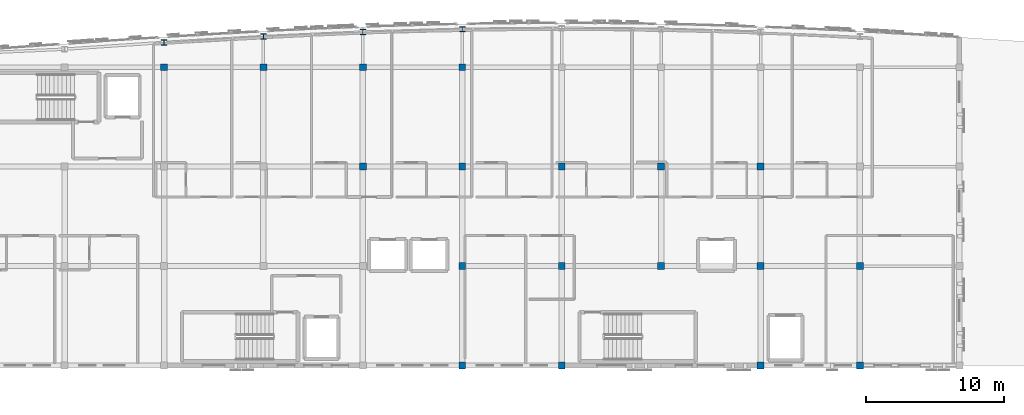
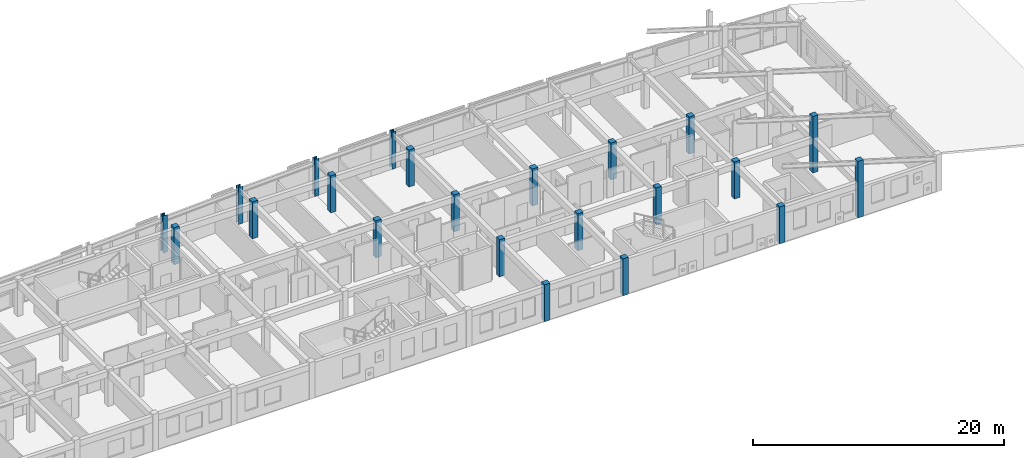
# One storey, part 2 of 34: 22 columns.
"""IFC4 building model written with IfcOpenShell, lengths in metres."""

import ifcopenshell
import ifcopenshell.guid

model = None  # the IFC model being written
_history = None  # IfcOwnerHistory: only IFC2X3 demands one
_inside = {}  # id of a spatial element -> (the spatial element, [elements in it])
_under = {}  # id of a project, library or spatial element -> (it, [spatial elements below it])
_declared = {}  # id of a project -> (the project, [libraries it declares])
_typed = {}  # id of a type object -> (the type object, [elements of that type])
_made_of = {}  # id of a material, layer set ... -> (it, [elements and type objects made of it])


def new_model(schema):
    """Start an empty IFC model of exactly this schema.

    Asked for "IFC4X3", IfcOpenShell would pick the latest addendum, in which some entities
    have other attributes; the version numbers below select the first issue.
    IFC2X3 requires an IfcOwnerHistory on every rooted entity: one is made here for all.
    """
    global model, _history
    if schema == "IFC4X3":
        model = ifcopenshell.file(schema_version=(4, 3, 0, 0))
    else:
        model = ifcopenshell.file(schema=schema)
    _inside.clear()
    _under.clear()
    _declared.clear()
    _typed.clear()
    _made_of.clear()
    _history = None
    if model.schema == "IFC2X3":
        org = make("IfcOrganization", Name="unknown")
        user = make(
            "IfcPersonAndOrganization",
            ThePerson=make("IfcPerson", FamilyName="unknown"),
            TheOrganization=org,
        )
        app = make(
            "IfcApplication",
            ApplicationDeveloper=org,
            Version="unknown",
            ApplicationFullName="unknown",
            ApplicationIdentifier="unknown",
        )
        _history = make(
            "IfcOwnerHistory",
            OwningUser=user,
            OwningApplication=app,
            ChangeAction="ADDED",
            CreationDate=0,
        )
    return model


def make(cls, **values):
    """One entity of the class cls with the attributes given. An attribute that is None is left unset."""
    return model.create_entity(
        cls, **{name: value for name, value in values.items() if value is not None}
    )


def rooted(cls, **values):
    """An entity with a GlobalId (a new one), such as an element, a storey or a relation."""
    return make(cls, GlobalId=ifcopenshell.guid.new(), OwnerHistory=_history, **values)


def si_unit(unit_type, name, prefix=None):
    """IfcSIUnit, for example si_unit("LENGTHUNIT", "METRE", prefix="MILLI")."""
    return make("IfcSIUnit", UnitType=unit_type, Prefix=prefix, Name=name)


def assignment(units):
    """IfcUnitAssignment: the units of a project."""
    return None if units is None else make("IfcUnitAssignment", Units=units)


def point(xyz):
    """IfcCartesianPoint."""
    return None if xyz is None else make("IfcCartesianPoint", Coordinates=xyz)


def direction(xyz):
    """IfcDirection."""
    return None if xyz is None else make("IfcDirection", DirectionRatios=xyz)


def frame(location, z_axis=None, x_axis=None):
    """IfcAxis2Placement3D, a coordinate frame: its origin and axes. An axis left out is left unset."""
    return make(
        "IfcAxis2Placement3D",
        Location=point(location),
        Axis=direction(z_axis),
        RefDirection=direction(x_axis),
    )


def frame_2d(location, x_axis=None):
    """IfcAxis2Placement2D, a coordinate frame in the plane: its origin and x axis."""
    return make(
        "IfcAxis2Placement2D", Location=point(location), RefDirection=direction(x_axis)
    )


def origin():
    """The frame at (0, 0, 0) with its axes left unset."""
    return frame((0.0, 0.0, 0.0))


def origin_2d():
    """The frame at (0, 0) in the plane with its x axis left unset."""
    return frame_2d((0.0, 0.0))


def place(relative_to, where):
    """IfcLocalPlacement: puts the frame where relative to a parent placement (None: the world)."""
    return make(
        "IfcLocalPlacement", PlacementRelTo=relative_to, RelativePlacement=where
    )


def context(
    kind, dimensions, precision=None, world=None, true_north=None, identifier=None
):
    """IfcGeometricRepresentationContext, for example the 3D "Model" context."""
    return make(
        "IfcGeometricRepresentationContext",
        ContextIdentifier=identifier,
        ContextType=kind,
        CoordinateSpaceDimension=dimensions,
        Precision=precision,
        WorldCoordinateSystem=world,
        TrueNorth=true_north,
    )


def subcontext(parent, identifier, kind, view, scale=None):
    """IfcGeometricRepresentationSubContext, for example "Body" below "Model"."""
    return make(
        "IfcGeometricRepresentationSubContext",
        ContextIdentifier=identifier,
        ContextType=kind,
        ParentContext=parent,
        TargetScale=scale,
        TargetView=view,
    )


def project(units=None, contexts=None):
    """IfcProject with its units and contexts."""
    return rooted(
        "IfcProject",
        Name="project",
        RepresentationContexts=contexts,
        UnitsInContext=assignment(units),
    )


def spatial(cls, under=None, at=None, **own):
    """A site, building, storey or space (cls), placed at a placement, below another one or the project."""
    s = rooted(cls, ObjectPlacement=at, **own)
    if under is not None:
        _under.setdefault(under.id(), (under, []))[1].append(s)
    return s


def profile(cls, at=None, kind="AREA", **sizes):
    """A parametric profile (cls). Its sizes go by their IFC names, for example OverallWidth=200.0."""
    return make(cls, ProfileType=kind, Position=at, **sizes)


def rectangle(**sizes):
    """IfcRectangleProfileDef."""
    return profile("IfcRectangleProfileDef", **sizes)


def i_section(**sizes):
    """IfcIShapeProfileDef."""
    return profile("IfcIShapeProfileDef", **sizes)


def extrude(swept, where, along, depth):
    """IfcExtrudedAreaSolid: the profile swept, set in the frame where, extruded along a direction by depth."""
    return make(
        "IfcExtrudedAreaSolid",
        SweptArea=swept,
        Position=where,
        ExtrudedDirection=direction(along),
        Depth=depth,
    )


def shape(context_of_items, identifier, shape_type, items):
    """IfcShapeRepresentation: the items that make up one representation, for example the "Body"."""
    return make(
        "IfcShapeRepresentation",
        ContextOfItems=context_of_items,
        RepresentationIdentifier=identifier,
        RepresentationType=shape_type,
        Items=items,
    )


def material(Name=None, Category=None):
    """IfcMaterial."""
    return make("IfcMaterial", Name=Name, Category=Category)


def material_profile(
    of_material, cross_section, Name=None, Category=None, Priority=None
):
    """IfcMaterialProfile: a cross section and its material."""
    return make(
        "IfcMaterialProfile",
        Name=Name,
        Material=of_material,
        Profile=cross_section,
        Priority=Priority,
        Category=Category,
    )


def profile_set(profiles, Name=None, composite=None):
    """IfcMaterialProfileSet."""
    return make(
        "IfcMaterialProfileSet",
        Name=Name,
        MaterialProfiles=profiles,
        CompositeProfile=composite,
    )


def made_of(thing, what):
    """Note that an element or type object is made of a material, layer set ...; save() writes the relation."""
    if what is not None:
        _made_of.setdefault(what.id(), (what, []))[1].append(thing)
    return thing


def type_object(cls, material=None, **own):
    """A type object (cls), such as IfcWallType, which elements share."""
    return made_of(rooted(cls, **own), material)


def element(
    cls,
    number,
    at=None,
    inside=None,
    cuts=None,
    type_object=None,
    material=None,
    context=None,
    identifier="Body",
    shape_type=None,
    held_by="IfcProductDefinitionShape",
    body=None,
    shapes=None,
    **own,
):
    """One element of the class cls, such as IfcWall. Its Tag is "e" and its number.

    at: its placement. inside: the storey or other place that contains it. cuts: it is an
    opening in that element (IfcRelVoidsElement). A single representation is given by context,
    identifier, shape_type and body (its items); several are given by shapes. held_by: the class
    of the entity that holds the representations. save() writes the other relations.
    """
    e = rooted(cls, Tag="e%d" % number, ObjectPlacement=at, **own)
    if body is not None:
        shapes = [shape(context, identifier, shape_type, body)]
    if shapes is not None:
        e.Representation = make(held_by, Representations=shapes)
    if inside is not None:
        _inside.setdefault(inside.id(), (inside, []))[1].append(e)
    if cuts is not None:
        rooted(
            "IfcRelVoidsElement", RelatingBuildingElement=cuts, RelatedOpeningElement=e
        )
    if type_object is not None:
        _typed.setdefault(type_object.id(), (type_object, []))[1].append(e)
    return made_of(e, material)


def aggregate(whole, parts):
    """IfcRelAggregates: a whole, such as a stair, and the parts it consists of."""
    return rooted("IfcRelAggregates", RelatingObject=whole, RelatedObjects=parts)


def save(model, path):
    """Write the relations noted so far, then the file.

    IfcRelAggregates (storeys below a building ...), IfcRelContainedInSpatialStructure (elements
    in a storey), IfcRelDefinesByType, IfcRelAssociatesMaterial and IfcRelDeclares: one each for
    every whole, place, type object, material and project.
    """
    for whole, parts in _under.values():
        aggregate(whole, parts)
    for where, things in _inside.values():
        rooted(
            "IfcRelContainedInSpatialStructure",
            RelatedElements=things,
            RelatingStructure=where,
        )
    for kind, things in _typed.values():
        rooted("IfcRelDefinesByType", RelatedObjects=things, RelatingType=kind)
    for what, things in _made_of.values():
        rooted("IfcRelAssociatesMaterial", RelatedObjects=things, RelatingMaterial=what)
    for by, libraries in _declared.values():
        rooted("IfcRelDeclares", RelatingContext=by, RelatedDefinitions=libraries)
    model.write(path)


model = new_model("IFC4")

# Units and contexts
model_context = context("Model", 3, precision=1e-05, world=origin(), true_north=direction((0.0, 1.0)))
body_context = subcontext(model_context, "Body", "Model", "MODEL_VIEW")
ifc_project = project(units=[si_unit("LENGTHUNIT", "METRE"), si_unit("AREAUNIT", "SQUARE_METRE"), si_unit("VOLUMEUNIT", "CUBIC_METRE"), si_unit("PLANEANGLEUNIT", "RADIAN"), si_unit("MASSUNIT", "GRAM", prefix="KILO")], contexts=[model_context])

# Site, building, storey
site_placement = place(None, origin())
site = spatial("IfcSite", under=ifc_project, at=site_placement, CompositionType="ELEMENT")
building_placement = place(site_placement, origin())
building = spatial("IfcBuilding", under=site, at=building_placement, Name="Carrowvane Square Congress Hotel", CompositionType="ELEMENT")
storey_placement = place(building_placement, frame((0.0, 0.0, 40.800048828125)))
storey = spatial("IfcBuildingStorey", under=building, at=storey_placement, Name="L10", CompositionType="ELEMENT", Elevation=40.800048828125)

# Columns
ifc_material_1 = material(Name="Concrete C40/50", Category="concrete")
ifc_material_profile_1 = material_profile(ifc_material_1, rectangle(XDim=0.5, YDim=0.5, at=origin_2d()), Name="RC 500x500")
ifc_profile_set_1 = profile_set([ifc_material_profile_1], Name="Concrete C40/50")
column_type_1 = type_object("IfcColumnType", Name="COL-RC-500", PredefinedType="COLUMN", material=ifc_profile_set_1)
for number, where, z_axis, x_axis, name in (
    (1, (69.199951171875, 113.39990234375, 0.0), (0.0, 0.0, 1.0), (1.0, 0.0, 0.0), "L10 column 9/R"),
    (2, (76.39990234375, 113.39990234375, 0.0), (0.0, 0.0, 1.0), (1.0, 0.0, 0.0), "L10 column 10/R"),
    (3, (83.60009765625, 106.199951171875, 0.0), (0.0, 0.0, 1.0), (1.0, 0.0, 0.0), "L10 column 11/Q"),
    (4, (83.60009765625, 113.39990234375, 0.0), (0.0, 0.0, 1.0), (1.0, 0.0, 0.0), "L10 column 11/R"),
    (5, (90.800048828125, 91.800048828125, 0.0), (0.0, 0.0, 1.0), (1.0, 0.0, 0.0), "L10 column 12/N"),
    (6, (90.800048828125, 99.0, 0.0), (0.0, 0.0, 1.0), (1.0, 0.0, 0.0), "L10 column 12/P"),
    (7, (90.800048828125, 106.199951171875, 0.0), (0.0, 0.0, 1.0), (1.0, 0.0, 0.0), "L10 column 12/Q"),
    (8, (90.800048828125, 113.39990234375, 0.0), (0.0, 0.0, 1.0), (1.0, 0.0, 0.0), "L10 column 12/R"),
    (9, (98.0, 91.800048828125, 0.0), (0.0, 0.0, 1.0), (1.0, 0.0, 0.0), "L10 column 13/N"),
    (10, (98.0, 99.0, 0.0), (0.0, 0.0, 1.0), (1.0, 0.0, 0.0), "L10 column 13/P"),
    (11, (98.0, 106.199951171875, 0.0), (0.0, 0.0, 1.0), (1.0, 0.0, 0.0), "L10 column 13/Q"),
    (12, (105.199951171875, 99.0, 0.0), (0.0, 0.0, 1.0), (1.0, 0.0, 0.0), "L10 column 14/P"),
    (13, (105.199951171875, 106.199951171875, 0.0), (0.0, 0.0, 1.0), (1.0, 0.0, 0.0), "L10 column 14/Q"),
    (14, (112.39990234375, 91.800048828125, 0.0), (0.0, 0.0, 1.0), (1.0, 0.0, 0.0), "L10 column 15/N"),
    (15, (112.39990234375, 99.0, 0.0), (0.0, 0.0, 1.0), (1.0, 0.0, 0.0), "L10 column 15/P"),
    (16, (112.39990234375, 106.199951171875, 0.0), (0.0, 0.0, 1.0), (1.0, 0.0, 0.0), "L10 column 15/Q"),
):
    element("IfcColumn", number, at=place(storey_placement, frame(where, z_axis=z_axis, x_axis=x_axis)), inside=storey, type_object=column_type_1, Name=name, PredefinedType="COLUMN", context=body_context, shape_type="SweptSolid", body=[
        extrude(rectangle(XDim=0.5, YDim=0.5, at=origin_2d()), origin(), (0.0, 0.0, 1.0), 3.599853515625),
    ])
for number, where, z_axis, x_axis, name in (
    (17, (119.60009765625, 91.800048828125, 0.0), (0.0, 0.0, 1.0), (1.0, 0.0, 0.0), "L10 column 16/N"),
    (18, (119.60009765625, 99.0, 0.0), (0.0, 0.0, 1.0), (1.0, 0.0, 0.0), "L10 column 16/P"),
):
    element("IfcColumn", number, at=place(storey_placement, frame(where, z_axis=z_axis, x_axis=x_axis)), inside=storey, type_object=column_type_1, Name=name, PredefinedType="COLUMN", context=body_context, shape_type="SweptSolid", body=[
        extrude(rectangle(XDim=0.5, YDim=0.5, at=origin_2d()), origin(), (0.0, 0.0, 1.0), 5.5),
    ])
ifc_material_2 = material(Name="Steel S355", Category="steel")
ifc_material_profile_2 = material_profile(ifc_material_2, i_section(OverallWidth=0.394775390625, OverallDepth=0.381103515625, WebThickness=0.018310546875, FlangeThickness=0.0302734375, FilletRadius=0.01513671875, at=origin_2d()), Name="UKC 356x406x235")
ifc_profile_set_2 = profile_set([ifc_material_profile_2], Name="Steel S355")
column_type_2 = type_object("IfcColumnType", Name="COL-ST-UKC406", PredefinedType="COLUMN", material=ifc_profile_set_2)
for number, where, z_axis, x_axis, name in (
    (19, (69.199951171875, 115.1943359375, 0.0), (0.0, 0.0, 1.0), (1.0, 0.0, 0.0), "L10 column 9/ARC"),
    (20, (76.39990234375, 115.61767578125, 0.0), (0.0, 0.0, 1.0), (1.0, 0.0, 0.0), "L10 column 10/ARC"),
    (21, (83.60009765625, 115.944091796875, 0.0), (0.0, 0.0, 1.0), (1.0, 0.0, 0.0), "L10 column 11/ARC"),
    (22, (90.800048828125, 116.14990234375, 0.0), (0.0, 0.0, 1.0), (1.0, 0.0, 0.0), "L10 column 12/ARC"),
):
    element("IfcColumn", number, at=place(storey_placement, frame(where, z_axis=z_axis, x_axis=x_axis)), inside=storey, type_object=column_type_2, Name=name, PredefinedType="COLUMN", context=body_context, shape_type="SweptSolid", body=[
        extrude(i_section(OverallWidth=0.394775390625, OverallDepth=0.381103515625, WebThickness=0.018310546875, FlangeThickness=0.0302734375, FilletRadius=0.01513671875, at=origin_2d()), origin(), (0.0, 0.0, 1.0), 3.599853515625),
    ])

save(model, "model.ifc")
